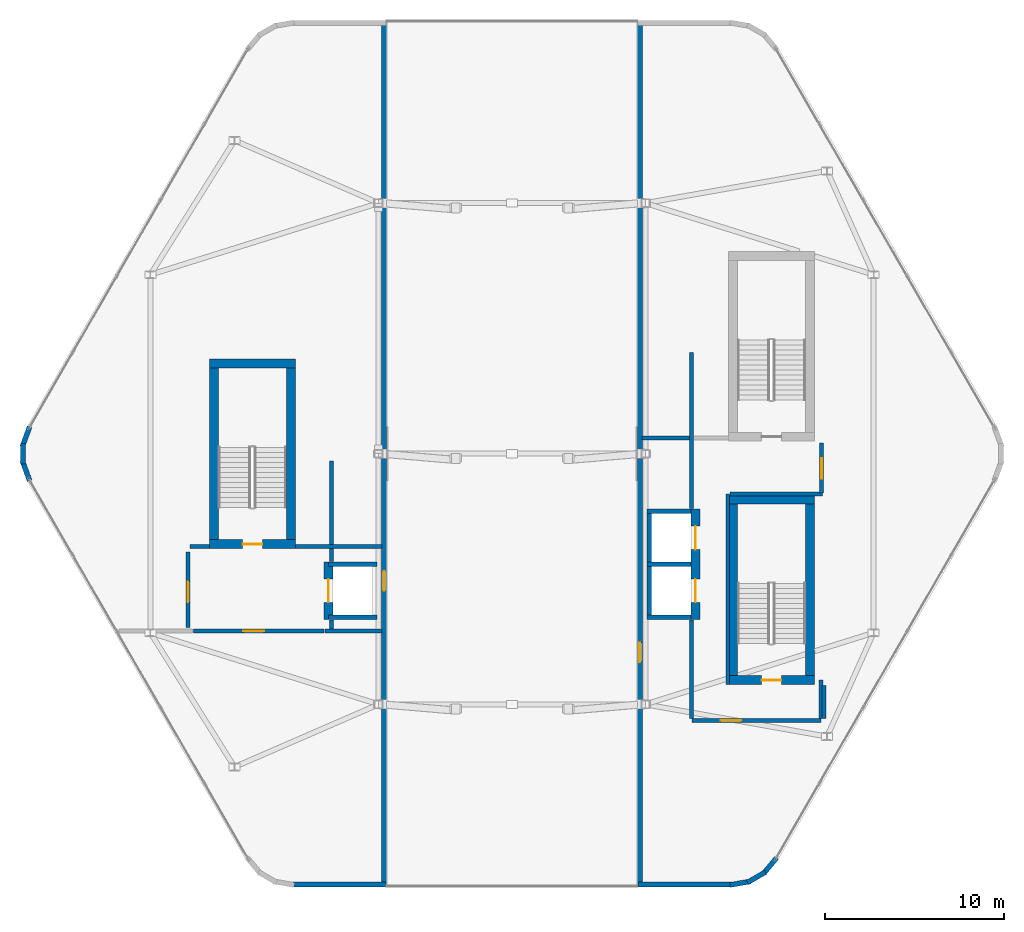
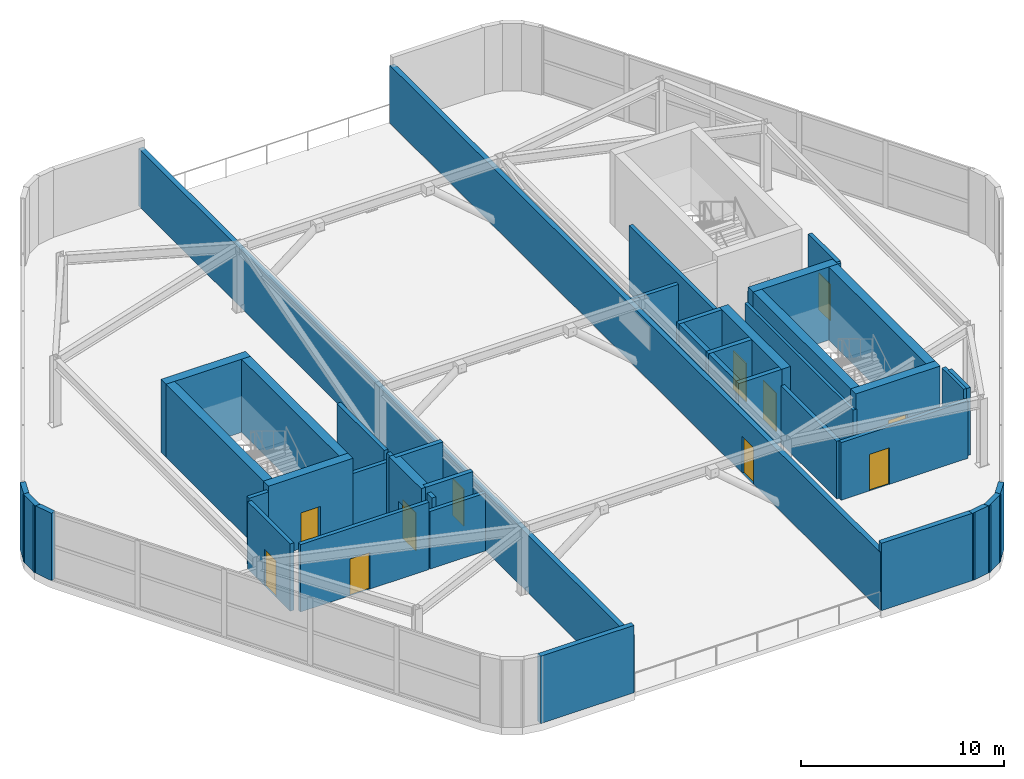
# One storey, part 14 of 17: 44 walls, 11 doors, 11 openings.
"""IFC4 building model written with IfcOpenShell, lengths in metres."""

from ifc_helpers import new_model, si_unit, direction, frame, frame_2d, origin, place, context, subcontext, project, spatial, rectangle, extrude, material, layer, layer_set, type_object, element, fill, save


model = new_model("IFC4")

# Units and contexts
model_context = context("Model", 3, precision=1e-05, world=origin(), true_north=direction((0.0, 1.0)))
body_context = subcontext(model_context, "Body", "Model", "MODEL_VIEW")
ifc_project = project(units=[si_unit("LENGTHUNIT", "METRE"), si_unit("AREAUNIT", "SQUARE_METRE"), si_unit("VOLUMEUNIT", "CUBIC_METRE"), si_unit("PLANEANGLEUNIT", "RADIAN"), si_unit("MASSUNIT", "GRAM", prefix="KILO")], contexts=[model_context])

# Site, building, storey
site_placement = place(None, origin())
site = spatial("IfcSite", under=ifc_project, at=site_placement, CompositionType="ELEMENT")
building_placement = place(site_placement, origin())
building = spatial("IfcBuilding", under=site, at=building_placement, Name="Zuhravey Tower", CompositionType="ELEMENT")
storey_placement = place(building_placement, frame((0.0, 0.0, 361.39990234375)))
storey = spatial("IfcBuildingStorey", under=building, at=storey_placement, Name="L92", CompositionType="ELEMENT", Elevation=361.39990234375)

# Wall, opening, door
ifc_material_1 = material(Name="Concrete C50/60", Category="concrete")
ifc_layer_1 = layer(ifc_material_1, 0.5)
ifc_layer_set_1 = layer_set([ifc_layer_1], Name="Concrete C50/60")
wall_type_1 = type_object("IfcWallType", Name="Core Shear Wall 500", PredefinedType="SHEAR", material=ifc_layer_set_1)
wall_1_placement = place(storey_placement, frame((19.10009765625, 26.949951171875, 0.0), z_axis=(0.0, 0.0, 1.0), x_axis=(1.0, 0.0, 0.0)))
wall_1 = element("IfcWall", 1, at=wall_1_placement, inside=storey, type_object=wall_type_1, Name="L92 CST1 South Shaft Wall", PredefinedType="SHEAR", context=body_context, shape_type="SweptSolid", body=[
    extrude(rectangle(XDim=4.7998046875, YDim=0.5, at=frame_2d((2.39990234375, 0.0))), origin(), (0.0, 0.0, 1.0), 4.400146484375),
])
opening_1_placement = place(wall_1_placement, frame((1.85009765625, 0.0, 0.0)))
opening_1 = element("IfcOpeningElement", 2, at=opening_1_placement, cuts=wall_1, Name="Opening STD1", PredefinedType="OPENING", context=body_context, shape_type="SweptSolid", body=[
    extrude(rectangle(XDim=1.10009765625, YDim=2.14990234375, at=frame_2d((0.550048828125, 1.074951171875))), frame((0.0, 0.261962890625, 0.0), z_axis=(0.0, -1.0, 0.0), x_axis=(1.0, 0.0, 0.0)), (0.0, 0.0, 1.0), 0.52392578125),
])
ifc_material_2 = material(Name="Galvanised fire-rated steel leaf", Category="steel")
door_type_1 = type_object("IfcDoorType", Name="Protected Stair Fire Door 1100x2150", OperationType="NOTDEFINED", PredefinedType="USERDEFINED", material=ifc_material_2)
door_1_placement = place(opening_1_placement, origin())
door_1 = element("IfcDoor", 3, at=door_1_placement, inside=storey, type_object=door_type_1, Name="L92 CST1 Door", ObjectType="EXITDOOR", OperationType="SINGLE_SWING_RIGHT", OverallHeight=2.14990234375, OverallWidth=1.10009765625, PredefinedType="USERDEFINED", context=body_context, shape_type="SweptSolid", body=[
    extrude(rectangle(XDim=1.10009765625, YDim=2.14990234375, at=frame_2d((0.550048828125, 1.074951171875))), frame((0.0, 0.02490234375, 0.0), z_axis=(0.0, -1.0, 0.0), x_axis=(1.0, 0.0, 0.0)), (0.0, 0.0, 1.0), 0.050048828125),
])
fill(opening_1, door_1)

# Walls
wall_2_placement = place(storey_placement, frame((23.89990234375, 37.050048828125, 0.0), z_axis=(0.0, 0.0, 1.0), x_axis=(-1.0, 0.0, 0.0)))
element("IfcWall", 4, at=wall_2_placement, inside=storey, type_object=wall_type_1, Name="L92 CST1 North Shaft Wall", PredefinedType="SHEAR", context=body_context, shape_type="SweptSolid", body=[
    extrude(rectangle(XDim=4.7998046875, YDim=0.5, at=frame_2d((2.39990234375, 0.0))), origin(), (0.0, 0.0, 1.0), 4.400146484375),
])
for number, where, z_axis, x_axis, name in (
    (5, (19.35009765625, 27.199951171875, 0.0), (0.0, 0.0, 1.0), (0.0, 1.0, 0.0), "L92 CST1 West Shaft Wall"),
    (6, (23.64990234375, 36.800048828125, 0.0), (0.0, 0.0, 1.0), (0.0, -1.0, 0.0), "L92 CST1 East Shaft Wall"),
):
    element("IfcWall", number, at=place(storey_placement, frame(where, z_axis=z_axis, x_axis=x_axis)), inside=storey, type_object=wall_type_1, Name=name, PredefinedType="SHEAR", context=body_context, shape_type="SweptSolid", body=[
        extrude(rectangle(XDim=9.60009765625, YDim=0.5, at=frame_2d((4.800048828125, 0.0))), origin(), (0.0, 0.0, 1.0), 4.400146484375),
    ])

# Wall, opening, door
wall_3_placement = place(storey_placement, frame((48.10009765625, 19.35009765625, 0.0), z_axis=(0.0, 0.0, 1.0), x_axis=(1.0, 0.0, 0.0)))
wall_3 = element("IfcWall", 7, at=wall_3_placement, inside=storey, type_object=wall_type_1, Name="L92 CST2 South Shaft Wall", PredefinedType="SHEAR", context=body_context, shape_type="SweptSolid", body=[
    extrude(rectangle(XDim=4.7998046875, YDim=0.5, at=frame_2d((2.39990234375, 0.0))), origin(), (0.0, 0.0, 1.0), 4.400146484375),
])
opening_2_placement = place(wall_3_placement, frame((1.85009765625, 0.0, 0.0)))
opening_2 = element("IfcOpeningElement", 8, at=opening_2_placement, cuts=wall_3, Name="Opening STD1", PredefinedType="OPENING", context=body_context, shape_type="SweptSolid", body=[
    extrude(rectangle(XDim=1.10009765625, YDim=2.14990234375, at=frame_2d((0.550048828125, 1.074951171875))), frame((0.0, 0.261962890625, 0.0), z_axis=(0.0, -1.0, 0.0), x_axis=(1.0, 0.0, 0.0)), (0.0, 0.0, 1.0), 0.52392578125),
])
door_2_placement = place(opening_2_placement, origin())
door_2 = element("IfcDoor", 9, at=door_2_placement, inside=storey, type_object=door_type_1, Name="L92 CST2 Door", ObjectType="EXITDOOR", OperationType="SINGLE_SWING_LEFT", OverallHeight=2.14990234375, OverallWidth=1.10009765625, PredefinedType="USERDEFINED", context=body_context, shape_type="SweptSolid", body=[
    extrude(rectangle(XDim=1.10009765625, YDim=2.14990234375, at=frame_2d((0.550048828125, 1.074951171875))), frame((0.0, 0.02490234375, 0.0), z_axis=(0.0, -1.0, 0.0), x_axis=(1.0, 0.0, 0.0)), (0.0, 0.0, 1.0), 0.050048828125),
])
fill(opening_2, door_2)

# Walls
wall_4_placement = place(storey_placement, frame((52.89990234375, 29.449951171875, 0.0), z_axis=(0.0, 0.0, 1.0), x_axis=(-1.0, 0.0, 0.0)))
element("IfcWall", 10, at=wall_4_placement, inside=storey, type_object=wall_type_1, Name="L92 CST2 North Shaft Wall", PredefinedType="SHEAR", context=body_context, shape_type="SweptSolid", body=[
    extrude(rectangle(XDim=4.7998046875, YDim=0.5, at=frame_2d((2.39990234375, 0.0))), origin(), (0.0, 0.0, 1.0), 4.400146484375),
])
for number, where, z_axis, x_axis, name in (
    (11, (48.35009765625, 19.60009765625, 0.0), (0.0, 0.0, 1.0), (0.0, 1.0, 0.0), "L92 CST2 West Shaft Wall"),
    (12, (52.64990234375, 29.199951171875, 0.0), (0.0, 0.0, 1.0), (0.0, -1.0, 0.0), "L92 CST2 East Shaft Wall"),
):
    element("IfcWall", number, at=place(storey_placement, frame(where, z_axis=z_axis, x_axis=x_axis)), inside=storey, type_object=wall_type_1, Name=name, PredefinedType="SHEAR", context=body_context, shape_type="SweptSolid", body=[
        extrude(rectangle(XDim=9.599853515625, YDim=0.5, at=frame_2d((4.7998046875, 0.0))), origin(), (0.0, 0.0, 1.0), 4.400146484375),
    ])

# Wall, opening, door
wall_5_placement = place(storey_placement, frame((25.75, 22.75, 0.0), z_axis=(0.0, 0.0, 1.0), x_axis=(0.0, 1.0, 0.0)))
wall_5 = element("IfcWall", 13, at=wall_5_placement, inside=storey, type_object=wall_type_1, Name="L92 West Crest FF1 Shear Wall", PredefinedType="SHEAR", context=body_context, shape_type="SweptSolid", body=[
    extrude(rectangle(XDim=3.199951171875, YDim=0.5, at=frame_2d((1.60009765625, 0.0))), origin(), (0.0, 0.0, 1.0), 4.400146484375),
])
opening_3_placement = place(wall_5_placement, frame((0.949951171875, 0.0, 0.0)))
opening_3 = element("IfcOpeningElement", 14, at=opening_3_placement, cuts=wall_5, Name="Opening LD2", PredefinedType="OPENING", context=body_context, shape_type="SweptSolid", body=[
    extrude(rectangle(XDim=1.300048828125, YDim=2.300048828125, at=frame_2d((0.64990234375, 1.14990234375))), frame((0.0, 0.261962890625, 0.0), z_axis=(0.0, -1.0, 0.0), x_axis=(1.0, 0.0, 0.0)), (0.0, 0.0, 1.0), 0.52392578125),
])
ifc_material_3 = material(Name="Brushed stainless steel", Category="steel")
door_type_2 = type_object("IfcDoorType", Name="Freight & Stretcher Lift Sliding Door 1300x2300", OperationType="DOUBLE_DOOR_SLIDING", PredefinedType="DOOR", material=ifc_material_3)
door_3_placement = place(opening_3_placement, origin())
door_3 = element("IfcDoor", 15, at=door_3_placement, inside=storey, type_object=door_type_2, Name="L92 Lift FF1 Crown Landing Door", OperationType="DOUBLE_DOOR_SLIDING", OverallHeight=2.300048828125, OverallWidth=1.300048828125, PredefinedType="DOOR", context=body_context, shape_type="SweptSolid", body=[
    extrude(rectangle(XDim=1.300048828125, YDim=2.300048828125, at=frame_2d((0.64990234375, 1.14990234375))), frame((0.0, 0.02490234375, 0.0), z_axis=(0.0, -1.0, 0.0), x_axis=(1.0, 0.0, 0.0)), (0.0, 0.0, 1.0), 0.050048828125),
])
fill(opening_3, door_3)

# Wall, openings, doors
wall_6_placement = place(storey_placement, frame((46.25, 22.75, 0.0), z_axis=(0.0, 0.0, 1.0), x_axis=(0.0, 1.0, 0.0)))
wall_6 = element("IfcWall", 16, at=wall_6_placement, inside=storey, type_object=wall_type_1, Name="L92 East Crest FF2 Shear Wall", PredefinedType="SHEAR", context=body_context, shape_type="SweptSolid", body=[
    extrude(rectangle(XDim=6.14990234375, YDim=0.5, at=frame_2d((3.074951171875, 0.0))), origin(), (0.0, 0.0, 1.0), 4.400146484375),
])
opening_4_placement = place(wall_6_placement, frame((0.949951171875, 0.0, 0.0)))
opening_4 = element("IfcOpeningElement", 17, at=opening_4_placement, cuts=wall_6, Name="Opening LD2", PredefinedType="OPENING", context=body_context, shape_type="SweptSolid", body=[
    extrude(rectangle(XDim=1.300048828125, YDim=2.300048828125, at=frame_2d((0.64990234375, 1.14990234375))), frame((0.0, 0.261962890625, 0.0), z_axis=(0.0, -1.0, 0.0), x_axis=(1.0, 0.0, 0.0)), (0.0, 0.0, 1.0), 0.52392578125),
])
opening_5_placement = place(wall_6_placement, frame((3.89990234375, 0.0, 0.0)))
opening_5 = element("IfcOpeningElement", 18, at=opening_5_placement, cuts=wall_6, Name="Opening LD2", PredefinedType="OPENING", context=body_context, shape_type="SweptSolid", body=[
    extrude(rectangle(XDim=1.300048828125, YDim=2.300048828125, at=frame_2d((0.64990234375, 1.14990234375))), frame((0.0, 0.261962890625, 0.0), z_axis=(0.0, -1.0, 0.0), x_axis=(1.0, 0.0, 0.0)), (0.0, 0.0, 1.0), 0.52392578125),
])
door_4_placement = place(opening_4_placement, frame((1.300048828125, 0.0, 0.0), z_axis=(0.0, 0.0, 1.0), x_axis=(-1.0, 0.0, 0.0)))
door_4 = element("IfcDoor", 19, at=door_4_placement, inside=storey, type_object=door_type_2, Name="L92 Lift FF2 Crown Landing Door", OperationType="DOUBLE_DOOR_SLIDING", OverallHeight=2.300048828125, OverallWidth=1.300048828125, PredefinedType="DOOR", context=body_context, shape_type="SweptSolid", body=[
    extrude(rectangle(XDim=1.300048828125, YDim=2.300048828125, at=frame_2d((0.64990234375, 1.14990234375))), frame((0.0, 0.02490234375, 0.0), z_axis=(0.0, -1.0, 0.0), x_axis=(1.0, 0.0, 0.0)), (0.0, 0.0, 1.0), 0.050048828125),
])
fill(opening_4, door_4)
door_5_placement = place(opening_5_placement, frame((1.300048828125, 0.0, 0.0), z_axis=(0.0, 0.0, 1.0), x_axis=(-1.0, 0.0, 0.0)))
door_5 = element("IfcDoor", 20, at=door_5_placement, inside=storey, type_object=door_type_2, Name="L92 Lift SV1 Crown Landing Door", OperationType="DOUBLE_DOOR_SLIDING", OverallHeight=2.300048828125, OverallWidth=1.300048828125, PredefinedType="DOOR", context=body_context, shape_type="SweptSolid", body=[
    extrude(rectangle(XDim=1.300048828125, YDim=2.300048828125, at=frame_2d((0.64990234375, 1.14990234375))), frame((0.0, 0.02490234375, 0.0), z_axis=(0.0, -1.0, 0.0), x_axis=(1.0, 0.0, 0.0)), (0.0, 0.0, 1.0), 0.050048828125),
])
fill(opening_5, door_5)

# Walls
ifc_material_4 = material(Name="Precast concrete C40/50", Category="concrete")
ifc_layer_2 = layer(ifc_material_4, 0.280029296875)
ifc_layer_set_2 = layer_set([ifc_layer_2], Name="Precast concrete C40/50")
wall_type_2 = type_object("IfcWallType", Name="Crown Architectural Wall 280", PredefinedType="SOLIDWALL", material=ifc_layer_set_2)
wall_7_placement = place(storey_placement, frame((9.051513671875, 30.4951171875, 0.0), z_axis=(0.0, 0.0, 1.0), x_axis=(-0.342042645118, 0.939684430498, 0.0)))
element("IfcWall", 21, at=wall_7_placement, inside=storey, type_object=wall_type_2, Name="L92 WEST Crest Wall EW28-05", PredefinedType="SOLIDWALL", context=body_context, shape_type="SweptSolid", body=[
    extrude(rectangle(XDim=1.177734375, YDim=0.280029296875, at=frame_2d((0.5888671875, 0.0))), origin(), (0.0, 0.0, 1.0), 4.050048828125),
])
wall_8_placement = place(storey_placement, frame((8.68115234375, 31.41748046875, 0.0), z_axis=(0.0, 0.0, 1.0), x_axis=(0.0, 1.0, 0.0)))
element("IfcWall", 22, at=wall_8_placement, inside=storey, type_object=wall_type_2, Name="L92 WEST Crest Wall EW28-06", PredefinedType="SOLIDWALL", context=body_context, shape_type="SweptSolid", body=[
    extrude(rectangle(XDim=1.1650390625, YDim=0.280029296875, at=frame_2d((0.58251953125, 0.0))), origin(), (0.0, 0.0, 1.0), 4.050048828125),
])
wall_9_placement = place(storey_placement, frame((8.648681640625, 32.398193359375, 0.0), z_axis=(0.0, 0.0, 1.0), x_axis=(0.342042645118, 0.939684430498, 0.0)))
element("IfcWall", 23, at=wall_9_placement, inside=storey, type_object=wall_type_2, Name="L92 WEST Crest Wall EW28-07", PredefinedType="SOLIDWALL", context=body_context, shape_type="SweptSolid", body=[
    extrude(rectangle(XDim=1.177734375, YDim=0.280029296875, at=frame_2d((0.5888671875, 0.0))), origin(), (0.0, 0.0, 1.0), 4.050048828125),
])

# Wall, opening, door
wall_10_placement = place(storey_placement, frame((28.860107421875, 56.169189453125, 0.0), z_axis=(0.0, 0.0, 1.0), x_axis=(0.0, -1.0, 0.0)))
wall_10 = element("IfcWall", 24, at=wall_10_placement, inside=storey, type_object=wall_type_2, Name="L92 WEST Crest Wall EW28-13", PredefinedType="SOLIDWALL", context=body_context, shape_type="SweptSolid", body=[
    extrude(rectangle(XDim=48.33837890625, YDim=0.280029296875, at=frame_2d((24.169189453125, 0.0))), origin(), (0.0, 0.0, 1.0), 3.465087890625),
])
opening_6_placement = place(wall_10_placement, frame((30.72412109375, 0.0, 0.0)))
opening_6 = element("IfcOpeningElement", 25, at=opening_6_placement, cuts=wall_10, Name="Opening BLD1", PredefinedType="OPENING", context=body_context, shape_type="SweptSolid", body=[
    extrude(rectangle(XDim=1.10009765625, YDim=2.199951171875, at=frame_2d((0.550048828125, 1.10009765625))), frame((0.0, 0.152099609375, 0.0), z_axis=(0.0, -1.0, 0.0), x_axis=(1.0, 0.0, 0.0)), (0.0, 0.0, 1.0), 0.303955078125),
])
ifc_material_5 = material(Name="Thermally broken aluminium and low-E glass", Category="aluminium")
door_type_3 = type_object("IfcDoorType", Name="Balcony & Sky-Tray Glazed Door 1100x2200", OperationType="NOTDEFINED", PredefinedType="DOOR", material=ifc_material_5)
door_6_placement = place(opening_6_placement, origin())
door_6 = element("IfcDoor", 26, at=door_6_placement, inside=storey, type_object=door_type_3, Name="L92 WEST Wind-Portal Deck Door", OperationType="SINGLE_SWING_LEFT", OverallHeight=2.199951171875, OverallWidth=1.10009765625, PredefinedType="DOOR", context=body_context, shape_type="SweptSolid", body=[
    extrude(rectangle(XDim=1.10009765625, YDim=2.199951171875, at=frame_2d((0.550048828125, 1.10009765625))), frame((0.0, 0.02490234375, 0.0), z_axis=(0.0, -1.0, 0.0), x_axis=(1.0, 0.0, 0.0)), (0.0, 0.0, 1.0), 0.050048828125),
])
fill(opening_6, door_6)

# Walls
wall_11_placement = place(storey_placement, frame((28.955078125, 7.92578125, 0.0), z_axis=(0.0, 0.0, 1.0), x_axis=(-1.0, 0.0, 0.0)))
element("IfcWall", 27, at=wall_11_placement, inside=storey, type_object=wall_type_2, Name="L92 WEST Crest Wall EW28-14", PredefinedType="SOLIDWALL", context=body_context, shape_type="SweptSolid", body=[
    extrude(rectangle(XDim=5.314697265625, YDim=0.280029296875, at=frame_2d((2.6572265625, 0.0))), origin(), (0.0, 0.0, 1.0), 4.050048828125),
])
wall_12_placement = place(storey_placement, frame((50.777587890625, 9.414306640625, 0.0), z_axis=(0.0, 0.0, 1.0), x_axis=(-0.642851701012, -0.765990659542, 0.0)))
element("IfcWall", 28, at=wall_12_placement, inside=storey, type_object=wall_type_2, Name="L92 EAST Crest Wall EW28-09", PredefinedType="SOLIDWALL", context=body_context, shape_type="SweptSolid", body=[
    extrude(rectangle(XDim=1.177734375, YDim=0.280029296875, at=frame_2d((0.5888671875, 0.0))), origin(), (0.0, 0.0, 1.0), 4.050048828125),
])
wall_13_placement = place(storey_placement, frame((50.163818359375, 8.632568359375, 0.0), z_axis=(0.0, 0.0, 1.0), x_axis=(-0.865951785477, -0.500127488975, 0.0)))
element("IfcWall", 29, at=wall_13_placement, inside=storey, type_object=wall_type_2, Name="L92 EAST Crest Wall EW28-10", PredefinedType="SOLIDWALL", context=body_context, shape_type="SweptSolid", body=[
    extrude(rectangle(XDim=1.165283203125, YDim=0.280029296875, at=frame_2d((0.58251953125, 0.0))), origin(), (0.0, 0.0, 1.0), 4.050048828125),
])
wall_14_placement = place(storey_placement, frame((49.330810546875, 8.114013671875, 0.0), z_axis=(0.0, 0.0, 1.0), x_axis=(-0.984798162481, -0.173702559495, 0.0)))
element("IfcWall", 30, at=wall_14_placement, inside=storey, type_object=wall_type_2, Name="L92 EAST Crest Wall EW28-11", PredefinedType="SOLIDWALL", context=body_context, shape_type="SweptSolid", body=[
    extrude(rectangle(XDim=1.177734375, YDim=0.280029296875, at=frame_2d((0.5888671875, 0.0))), origin(), (0.0, 0.0, 1.0), 4.050048828125),
])
wall_15_placement = place(storey_placement, frame((48.359619140625, 7.92578125, 0.0), z_axis=(0.0, 0.0, 1.0), x_axis=(-1.0, 0.0, 0.0)))
element("IfcWall", 31, at=wall_15_placement, inside=storey, type_object=wall_type_2, Name="L92 EAST Crest Wall EW28-12", PredefinedType="SOLIDWALL", context=body_context, shape_type="SweptSolid", body=[
    extrude(rectangle(XDim=5.314697265625, YDim=0.280029296875, at=frame_2d((2.6572265625, 0.0))), origin(), (0.0, 0.0, 1.0), 4.050048828125),
])

# Wall, opening, door
wall_16_placement = place(storey_placement, frame((43.139892578125, 7.830810546875, 0.0), z_axis=(0.0, 0.0, 1.0), x_axis=(0.0, 1.0, 0.0)))
wall_16 = element("IfcWall", 32, at=wall_16_placement, inside=storey, type_object=wall_type_2, Name="L92 EAST Crest Wall EW28-13", PredefinedType="SOLIDWALL", context=body_context, shape_type="SweptSolid", body=[
    extrude(rectangle(XDim=48.33837890625, YDim=0.280029296875, at=frame_2d((24.169189453125, 0.0))), origin(), (0.0, 0.0, 1.0), 3.465087890625),
])
opening_7_placement = place(wall_16_placement, frame((12.524169921875, 0.0, 0.0)))
opening_7 = element("IfcOpeningElement", 33, at=opening_7_placement, cuts=wall_16, Name="Opening BLD1", PredefinedType="OPENING", context=body_context, shape_type="SweptSolid", body=[
    extrude(rectangle(XDim=1.10009765625, YDim=2.199951171875, at=frame_2d((0.550048828125, 1.10009765625))), frame((0.0, 0.152099609375, 0.0), z_axis=(0.0, -1.0, 0.0), x_axis=(1.0, 0.0, 0.0)), (0.0, 0.0, 1.0), 0.303955078125),
])
door_7_placement = place(opening_7_placement, origin())
door_7 = element("IfcDoor", 34, at=door_7_placement, inside=storey, type_object=door_type_3, Name="L92 EAST Wind-Portal Deck Door", OperationType="SINGLE_SWING_RIGHT", OverallHeight=2.199951171875, OverallWidth=1.10009765625, PredefinedType="DOOR", context=body_context, shape_type="SweptSolid", body=[
    extrude(rectangle(XDim=1.10009765625, YDim=2.199951171875, at=frame_2d((0.550048828125, 1.10009765625))), frame((0.0, 0.02490234375, 0.0), z_axis=(0.0, -1.0, 0.0), x_axis=(1.0, 0.0, 0.0)), (0.0, 0.0, 1.0), 0.050048828125),
])
fill(opening_7, door_7)

# Walls
ifc_layer_3 = layer(ifc_material_1, 0.25)
ifc_layer_set_3 = layer_set([ifc_layer_3], Name="Concrete C50/60")
wall_type_3 = type_object("IfcWallType", Name="Firefighting Shaft & Stair Wall 250", PredefinedType="SOLIDWALL", material=ifc_layer_set_3)
for number, where, z_axis, x_axis, name in (
    (35, (25.75, 25.824951171875, 0.0), (0.0, 0.0, 1.0), (1.0, 0.0, 0.0), "L92 FW25 Shaft Wall 001"),
    (36, (25.75, 22.875, 0.0), (0.0, 0.0, 1.0), (1.0, 0.0, 0.0), "L92 FW25 Shaft Wall 002"),
):
    element("IfcWall", number, at=place(storey_placement, frame(where, z_axis=z_axis, x_axis=x_axis)), inside=storey, type_object=wall_type_3, Name=name, PredefinedType="SOLIDWALL", context=body_context, shape_type="SweptSolid", body=[
        extrude(rectangle(XDim=2.699951171875, YDim=0.25, at=frame_2d((1.35009765625, 0.0))), origin(), (0.0, 0.0, 1.0), 4.400146484375),
    ])
for number, where, z_axis, x_axis, name in (
    (37, (43.550048828125, 22.875, 0.0), (0.0, 0.0, 1.0), (1.0, 0.0, 0.0), "L92 FW25 Shaft Wall 003"),
    (38, (43.550048828125, 25.824951171875, 0.0), (0.0, 0.0, 1.0), (1.0, 0.0, 0.0), "L92 FW25 Shaft Wall 004"),
):
    element("IfcWall", number, at=place(storey_placement, frame(where, z_axis=z_axis, x_axis=x_axis)), inside=storey, type_object=wall_type_3, Name=name, PredefinedType="SOLIDWALL", context=body_context, shape_type="SweptSolid", body=[
        extrude(rectangle(XDim=2.449951171875, YDim=0.25, at=frame_2d((1.22509765625, 0.0))), origin(), (0.0, 0.0, 1.0), 4.400146484375),
    ])
wall_17_placement = place(storey_placement, frame((43.675048828125, 23.0, 0.0), z_axis=(0.0, 0.0, 1.0), x_axis=(0.0, 1.0, 0.0)))
element("IfcWall", 39, at=wall_17_placement, inside=storey, type_object=wall_type_3, Name="L92 FW25 Shaft Wall 005", PredefinedType="SOLIDWALL", context=body_context, shape_type="SweptSolid", body=[
    extrude(rectangle(XDim=2.699951171875, YDim=0.25, at=frame_2d((1.35009765625, 0.0))), origin(), (0.0, 0.0, 1.0), 4.400146484375),
])
wall_18_placement = place(storey_placement, frame((43.550048828125, 28.77490234375, 0.0), z_axis=(0.0, 0.0, 1.0), x_axis=(1.0, 0.0, 0.0)))
element("IfcWall", 40, at=wall_18_placement, inside=storey, type_object=wall_type_3, Name="L92 FW25 Shaft Wall 006", PredefinedType="SOLIDWALL", context=body_context, shape_type="SweptSolid", body=[
    extrude(rectangle(XDim=2.449951171875, YDim=0.25, at=frame_2d((1.22509765625, 0.0))), origin(), (0.0, 0.0, 1.0), 4.400146484375),
])
wall_19_placement = place(storey_placement, frame((43.675048828125, 25.949951171875, 0.0), z_axis=(0.0, 0.0, 1.0), x_axis=(0.0, 1.0, 0.0)))
element("IfcWall", 41, at=wall_19_placement, inside=storey, type_object=wall_type_3, Name="L92 FW25 Shaft Wall 007", PredefinedType="SOLIDWALL", context=body_context, shape_type="SweptSolid", body=[
    extrude(rectangle(XDim=2.699951171875, YDim=0.25, at=frame_2d((1.35009765625, 0.0))), origin(), (0.0, 0.0, 1.0), 4.400146484375),
])

# Wall, opening, door
ifc_material_6 = material(Name="Gypsum acoustic stud assembly")
ifc_layer_4 = layer(ifc_material_6, 0.219970703125)
ifc_layer_set_4 = layer_set([ifc_layer_4], Name="Gypsum acoustic stud assembly")
wall_type_4 = type_object("IfcWallType", Name="School Acoustic Compartment Wall 220", PredefinedType="PARTITIONING", material=ifc_layer_set_4)
wall_20_placement = place(storey_placement, frame((18.199951171875, 22.10009765625, 0.0), z_axis=(0.0, 0.0, 1.0), x_axis=(1.0, 0.0, 0.0)))
wall_20 = element("IfcWall", 42, at=wall_20_placement, inside=storey, type_object=wall_type_4, Name="L92 IW22 Partition 008", PredefinedType="PARTITIONING", context=body_context, shape_type="SweptSolid", body=[
    extrude(rectangle(XDim=7.300048828125, YDim=0.219970703125, at=frame_2d((3.64990234375, 0.0))), origin(), (0.0, 0.0, 1.0), 4.050048828125),
])
opening_8_placement = place(wall_20_placement, frame((2.800048828125, 0.0, 0.0)))
opening_8 = element("IfcOpeningElement", 43, at=opening_8_placement, cuts=wall_20, Name="Opening CLD1", PredefinedType="OPENING", context=body_context, shape_type="SweptSolid", body=[
    extrude(rectangle(XDim=1.14990234375, YDim=2.199951171875, at=frame_2d((0.574951171875, 1.10009765625))), frame((0.0, 0.1220703125, 0.0), z_axis=(0.0, -1.0, 0.0), x_axis=(1.0, 0.0, 0.0)), (0.0, 0.0, 1.0), 0.243896484375),
])
ifc_material_7 = material(Name="Acoustic timber leaf with vision lite", Category="wood")
door_type_4 = type_object("IfcDoorType", Name="Classroom Acoustic Door 1150x2200", OperationType="NOTDEFINED", PredefinedType="DOOR", material=ifc_material_7)
door_8_placement = place(opening_8_placement, frame((1.14990234375, 0.0, 0.0), z_axis=(0.0, 0.0, 1.0), x_axis=(-1.0, 0.0, 0.0)))
door_8 = element("IfcDoor", 44, at=door_8_placement, inside=storey, type_object=door_type_4, Name="L92 Heat Recovery Plant Room Door", OperationType="SINGLE_SWING_LEFT", OverallHeight=2.199951171875, OverallWidth=1.14990234375, PredefinedType="DOOR", context=body_context, shape_type="SweptSolid", body=[
    extrude(rectangle(XDim=1.14990234375, YDim=2.199951171875, at=frame_2d((0.574951171875, 1.10009765625))), frame((0.0, 0.02490234375, 0.0), z_axis=(0.0, -1.0, 0.0), x_axis=(1.0, 0.0, 0.0)), (0.0, 0.0, 1.0), 0.050048828125),
])
fill(opening_8, door_8)

wall_21_placement = place(storey_placement, frame((17.89990234375, 22.300048828125, 0.0), z_axis=(0.0, 0.0, 1.0), x_axis=(0.0, 1.0, 0.0)))
wall_21 = element("IfcWall", 45, at=wall_21_placement, inside=storey, type_object=wall_type_4, Name="L92 IW22 Partition 009", PredefinedType="PARTITIONING", context=body_context, shape_type="SweptSolid", body=[
    extrude(rectangle(XDim=4.199951171875, YDim=0.219970703125, at=frame_2d((2.10009765625, 0.0))), origin(), (0.0, 0.0, 1.0), 4.050048828125),
])
opening_9_placement = place(wall_21_placement, frame((1.39990234375, 0.0, 0.0)))
opening_9 = element("IfcOpeningElement", 46, at=opening_9_placement, cuts=wall_21, Name="Opening CLD1", PredefinedType="OPENING", context=body_context, shape_type="SweptSolid", body=[
    extrude(rectangle(XDim=1.14990234375, YDim=2.199951171875, at=frame_2d((0.574951171875, 1.10009765625))), frame((0.0, 0.1220703125, 0.0), z_axis=(0.0, -1.0, 0.0), x_axis=(1.0, 0.0, 0.0)), (0.0, 0.0, 1.0), 0.243896484375),
])
door_9_placement = place(opening_9_placement, origin())
door_9 = element("IfcDoor", 47, at=door_9_placement, inside=storey, type_object=door_type_4, Name="L92 Tuned Liquid Damper Plant Hall Door", OperationType="SINGLE_SWING_RIGHT", OverallHeight=2.199951171875, OverallWidth=1.14990234375, PredefinedType="DOOR", context=body_context, shape_type="SweptSolid", body=[
    extrude(rectangle(XDim=1.14990234375, YDim=2.199951171875, at=frame_2d((0.574951171875, 1.10009765625))), frame((0.0, 0.02490234375, 0.0), z_axis=(0.0, -1.0, 0.0), x_axis=(1.0, 0.0, 0.0)), (0.0, 0.0, 1.0), 0.050048828125),
])
fill(opening_9, door_9)

wall_22_placement = place(storey_placement, frame((46.050048828125, 17.10009765625, 0.0), z_axis=(0.0, 0.0, 1.0), x_axis=(1.0, 0.0, 0.0)))
wall_22 = element("IfcWall", 48, at=wall_22_placement, inside=storey, type_object=wall_type_4, Name="L92 IW22 Partition 010", PredefinedType="PARTITIONING", context=body_context, shape_type="SweptSolid", body=[
    extrude(rectangle(XDim=7.199951171875, YDim=0.219970703125, at=frame_2d((3.60009765625, 0.0))), origin(), (0.0, 0.0, 1.0), 3.47021484375),
])
opening_10_placement = place(wall_22_placement, frame((1.60009765625, 0.0, 0.0)))
opening_10 = element("IfcOpeningElement", 49, at=opening_10_placement, cuts=wall_22, Name="Opening CLD1", PredefinedType="OPENING", context=body_context, shape_type="SweptSolid", body=[
    extrude(rectangle(XDim=1.14990234375, YDim=2.199951171875, at=frame_2d((0.574951171875, 1.10009765625))), frame((0.0, 0.1220703125, 0.0), z_axis=(0.0, -1.0, 0.0), x_axis=(1.0, 0.0, 0.0)), (0.0, 0.0, 1.0), 0.243896484375),
])
door_10_placement = place(opening_10_placement, frame((1.14990234375, 0.0, 0.0), z_axis=(0.0, 0.0, 1.0), x_axis=(-1.0, 0.0, 0.0)))
door_10 = element("IfcDoor", 50, at=door_10_placement, inside=storey, type_object=door_type_4, Name="L92 Cooling Tower Heat Rejection Plant Door", OperationType="SINGLE_SWING_LEFT", OverallHeight=2.199951171875, OverallWidth=1.14990234375, PredefinedType="DOOR", context=body_context, shape_type="SweptSolid", body=[
    extrude(rectangle(XDim=1.14990234375, YDim=2.199951171875, at=frame_2d((0.574951171875, 1.10009765625))), frame((0.0, 0.02490234375, 0.0), z_axis=(0.0, -1.0, 0.0), x_axis=(1.0, 0.0, 0.0)), (0.0, 0.0, 1.0), 0.050048828125),
])
fill(opening_10, door_10)

wall_23_placement = place(storey_placement, frame((53.300048828125, 29.800048828125, 0.0), z_axis=(0.0, 0.0, 1.0), x_axis=(0.0, 1.0, 0.0)))
wall_23 = element("IfcWall", 51, at=wall_23_placement, inside=storey, type_object=wall_type_4, Name="L92 IW22 Partition 011", PredefinedType="PARTITIONING", context=body_context, shape_type="SweptSolid", body=[
    extrude(rectangle(XDim=2.800048828125, YDim=0.219970703125, at=frame_2d((1.39990234375, 0.0))), origin(), (0.0, 0.0, 1.0), 4.050048828125),
])
opening_11_placement = place(wall_23_placement, frame((0.800048828125, 0.0, 0.0)))
opening_11 = element("IfcOpeningElement", 52, at=opening_11_placement, cuts=wall_23, Name="Opening CLD1", PredefinedType="OPENING", context=body_context, shape_type="SweptSolid", body=[
    extrude(rectangle(XDim=1.14990234375, YDim=2.199951171875, at=frame_2d((0.574951171875, 1.10009765625))), frame((0.0, 0.1220703125, 0.0), z_axis=(0.0, -1.0, 0.0), x_axis=(1.0, 0.0, 0.0)), (0.0, 0.0, 1.0), 0.243896484375),
])
door_11_placement = place(opening_11_placement, frame((1.14990234375, 0.0, 0.0), z_axis=(0.0, 0.0, 1.0), x_axis=(-1.0, 0.0, 0.0)))
door_11 = element("IfcDoor", 53, at=door_11_placement, inside=storey, type_object=door_type_4, Name="L92 Smoke Extract Fan Plant Door", OperationType="SINGLE_SWING_RIGHT", OverallHeight=2.199951171875, OverallWidth=1.14990234375, PredefinedType="DOOR", context=body_context, shape_type="SweptSolid", body=[
    extrude(rectangle(XDim=1.14990234375, YDim=2.199951171875, at=frame_2d((0.574951171875, 1.10009765625))), frame((0.0, 0.02490234375, 0.0), z_axis=(0.0, -1.0, 0.0), x_axis=(1.0, 0.0, 0.0)), (0.0, 0.0, 1.0), 0.050048828125),
])
fill(opening_11, door_11)

# Walls
wall_24_placement = place(storey_placement, frame((25.550048828125, 22.10009765625, 0.0), z_axis=(0.0, 0.0, 1.0), x_axis=(1.0, 0.0, 0.0)))
element("IfcWall", 54, at=wall_24_placement, inside=storey, type_object=wall_type_4, Name="L92 IW22 Partition 013", PredefinedType="PARTITIONING", context=body_context, shape_type="SweptSolid", body=[
    extrude(rectangle(XDim=3.18994140625, YDim=0.219970703125, at=frame_2d((1.594970703125, 0.0))), origin(), (0.0, 0.0, 1.0), 3.47021484375),
])
wall_25_placement = place(storey_placement, frame((28.739990234375, 26.820068359375, 0.0), z_axis=(0.0, 0.0, 1.0), x_axis=(-1.0, 0.0, 0.0)))
element("IfcWall", 55, at=wall_25_placement, inside=storey, type_object=wall_type_4, Name="L92 IW22 Partition 014", PredefinedType="PARTITIONING", context=body_context, shape_type="SweptSolid", body=[
    extrude(rectangle(XDim=4.840087890625, YDim=0.219970703125, at=frame_2d((2.419921875, 0.0))), origin(), (0.0, 0.0, 1.0), 3.47021484375),
])
wall_26_placement = place(storey_placement, frame((19.10009765625, 26.820068359375, 0.0), z_axis=(0.0, 0.0, 1.0), x_axis=(-1.0, 0.0, 0.0)))
element("IfcWall", 56, at=wall_26_placement, inside=storey, type_object=wall_type_4, Name="L92 IW22 Partition 015", PredefinedType="PARTITIONING", context=body_context, shape_type="SweptSolid", body=[
    extrude(rectangle(XDim=1.10009765625, YDim=0.219970703125, at=frame_2d((0.550048828125, 0.0))), origin(), (0.0, 0.0, 1.0), 4.050048828125),
])
wall_27_placement = place(storey_placement, frame((25.919921875, 25.989013671875, 0.0), z_axis=(0.0, 0.0, 1.0), x_axis=(0.0, 1.0, 0.0)))
element("IfcWall", 57, at=wall_27_placement, inside=storey, type_object=wall_type_4, Name="L92 IW22 Partition 016", PredefinedType="PARTITIONING", context=body_context, shape_type="SweptSolid", body=[
    extrude(rectangle(XDim=0.712890625, YDim=0.219970703125, at=frame_2d((0.3564453125, 0.0))), origin(), (0.0, 0.0, 1.0), 4.050048828125),
])
wall_28_placement = place(storey_placement, frame((25.919921875, 26.93798828125, 0.0), z_axis=(0.0, 0.0, 1.0), x_axis=(0.0, 1.0, 0.0)))
element("IfcWall", 58, at=wall_28_placement, inside=storey, type_object=wall_type_4, Name="L92 IW22 Partition 017", PredefinedType="PARTITIONING", context=body_context, shape_type="SweptSolid", body=[
    extrude(rectangle(XDim=4.662109375, YDim=0.219970703125, at=frame_2d((2.3310546875, 0.0))), origin(), (0.0, 0.0, 1.0), 4.050048828125),
])
wall_29_placement = place(storey_placement, frame((25.919921875, 22.218017578125, 0.0), z_axis=(0.0, 0.0, 1.0), x_axis=(0.0, 1.0, 0.0)))
element("IfcWall", 59, at=wall_29_placement, inside=storey, type_object=wall_type_4, Name="L92 IW22 Partition 018", PredefinedType="PARTITIONING", context=body_context, shape_type="SweptSolid", body=[
    extrude(rectangle(XDim=0.4931640625, YDim=0.219970703125, at=frame_2d((0.24658203125, 0.0))), origin(), (0.0, 0.0, 1.0), 4.050048828125),
])
wall_30_placement = place(storey_placement, frame((53.25, 17.218017578125, 0.0), z_axis=(0.0, 0.0, 1.0), x_axis=(0.0, 1.0, 0.0)))
element("IfcWall", 60, at=wall_30_placement, inside=storey, type_object=wall_type_4, Name="L92 IW22 Partition 019", PredefinedType="PARTITIONING", context=body_context, shape_type="SweptSolid", body=[
    extrude(rectangle(XDim=2.132080078125, YDim=0.219970703125, at=frame_2d((1.06591796875, 0.0))), origin(), (0.0, 0.0, 1.0), 4.050048828125),
])
wall_31_placement = place(storey_placement, frame((48.050048828125, 19.10009765625, 0.0), z_axis=(0.0, 0.0, 1.0), x_axis=(0.0, 1.0, 0.0)))
element("IfcWall", 61, at=wall_31_placement, inside=storey, type_object=wall_type_4, Name="L92 IW22 Partition 020", PredefinedType="PARTITIONING", context=body_context, shape_type="SweptSolid", body=[
    extrude(rectangle(XDim=10.64990234375, YDim=0.219970703125, at=frame_2d((5.324951171875, 0.0))), origin(), (0.0, 0.0, 1.0), 3.47021484375),
])
wall_32_placement = place(storey_placement, frame((48.16796875, 29.75, 0.0), z_axis=(0.0, 0.0, 1.0), x_axis=(1.0, 0.0, 0.0)))
element("IfcWall", 62, at=wall_32_placement, inside=storey, type_object=wall_type_4, Name="L92 IW22 Partition 021", PredefinedType="PARTITIONING", context=body_context, shape_type="SweptSolid", body=[
    extrude(rectangle(XDim=5.18212890625, YDim=0.219970703125, at=frame_2d((2.591064453125, 0.0))), origin(), (0.0, 0.0, 1.0), 4.050048828125),
])
wall_33_placement = place(storey_placement, frame((46.030029296875, 22.701416015625, 0.0), z_axis=(0.0, 0.0, 1.0), x_axis=(0.0, -1.0, 0.0)))
element("IfcWall", 63, at=wall_33_placement, inside=storey, type_object=wall_type_4, Name="L92 IW22 Partition 022", PredefinedType="PARTITIONING", context=body_context, shape_type="SweptSolid", body=[
    extrude(rectangle(XDim=5.50146484375, YDim=0.219970703125, at=frame_2d((2.750732421875, 0.0))), origin(), (0.0, 0.0, 1.0), 3.47021484375),
])
wall_34_placement = place(storey_placement, frame((53.419921875, 17.199951171875, 0.0), z_axis=(0.0, 0.0, 1.0), x_axis=(0.0, 1.0, 0.0)))
element("IfcWall", 64, at=wall_34_placement, inside=storey, type_object=wall_type_4, Name="L92 IW22 Partition 023", PredefinedType="PARTITIONING", context=body_context, shape_type="SweptSolid", body=[
    extrude(rectangle(XDim=1.85009765625, YDim=0.219970703125, at=frame_2d((0.925048828125, 0.0))), origin(), (0.0, 0.0, 1.0), 4.050048828125),
])
wall_35_placement = place(storey_placement, frame((46.030029296875, 37.64990234375, 0.0), z_axis=(0.0, 0.0, 1.0), x_axis=(0.0, -1.0, 0.0)))
element("IfcWall", 65, at=wall_35_placement, inside=storey, type_object=wall_type_4, Name="L92 IW22 Partition 024", PredefinedType="PARTITIONING", context=body_context, shape_type="SweptSolid", body=[
    extrude(rectangle(XDim=8.701416015625, YDim=0.219970703125, at=frame_2d((4.3505859375, 0.0))), origin(), (0.0, 0.0, 1.0), 4.050048828125),
])
wall_36_placement = place(storey_placement, frame((45.912109375, 32.8701171875, 0.0), z_axis=(0.0, 0.0, 1.0), x_axis=(-1.0, 0.0, 0.0)))
element("IfcWall", 66, at=wall_36_placement, inside=storey, type_object=wall_type_4, Name="L92 IW22 Partition 026", PredefinedType="PARTITIONING", context=body_context, shape_type="SweptSolid", body=[
    extrude(rectangle(XDim=2.652099609375, YDim=0.219970703125, at=frame_2d((1.326171875, 0.0))), origin(), (0.0, 0.0, 1.0), 3.47021484375),
])

save(model, "model.ifc")
